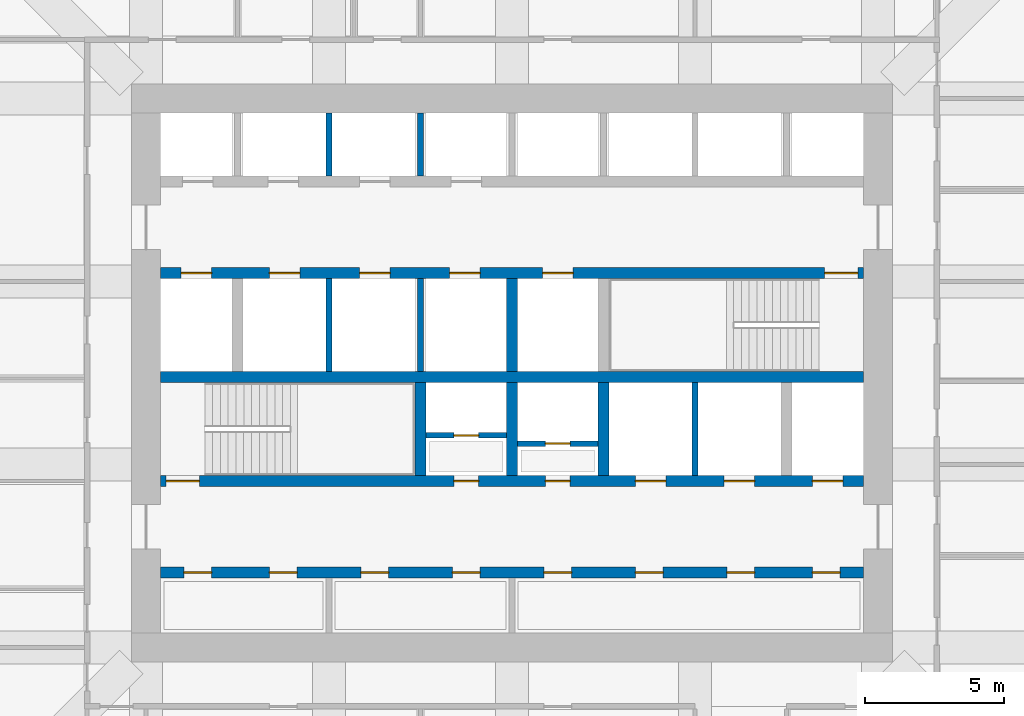
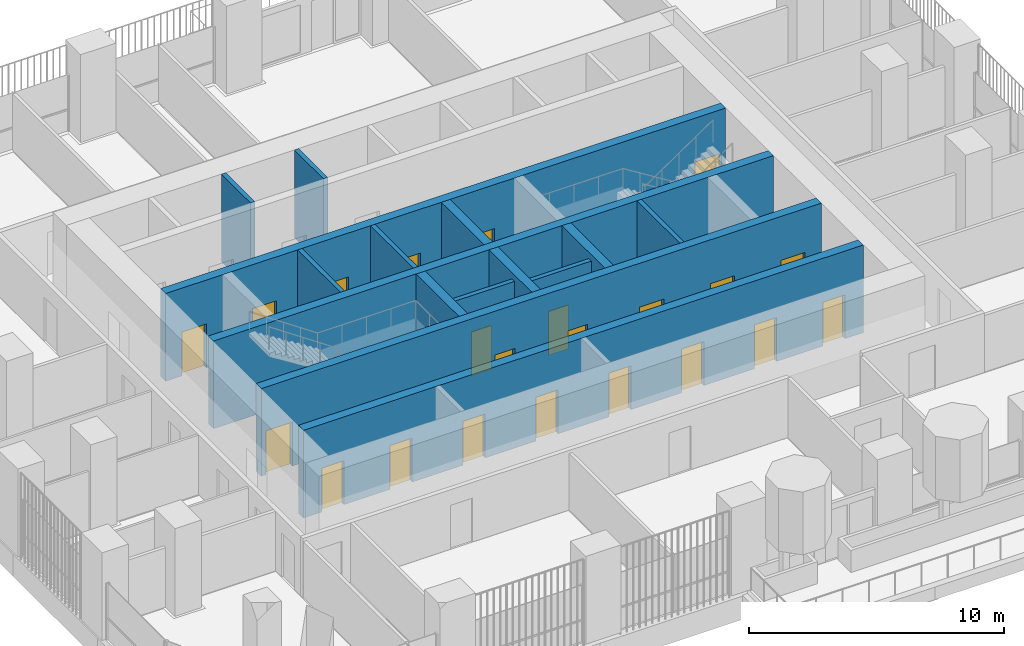
# One storey, part 14 of 20: 22 doors, 15 walls, 22 openings.
"""IFC4 building model written with IfcOpenShell, lengths in metres."""

from ifc_helpers import new_model, si_unit, direction, frame, frame_2d, origin, place, context, subcontext, project, spatial, rectangle, extrude, material, layer, layer_set, type_object, element, fill, save


model = new_model("IFC4")

# Units and contexts
model_context = context("Model", 3, precision=1e-05, world=origin(), true_north=direction((0.0, 1.0)))
body_context = subcontext(model_context, "Body", "Model", "MODEL_VIEW")
ifc_project = project(units=[si_unit("LENGTHUNIT", "METRE"), si_unit("AREAUNIT", "SQUARE_METRE"), si_unit("VOLUMEUNIT", "CUBIC_METRE"), si_unit("PLANEANGLEUNIT", "RADIAN"), si_unit("MASSUNIT", "GRAM", prefix="KILO")], contexts=[model_context])

# Site, building, storey
site_placement = place(None, origin())
site = spatial("IfcSite", under=ifc_project, at=site_placement, CompositionType="ELEMENT")
building_placement = place(site_placement, origin())
building = spatial("IfcBuilding", under=site, at=building_placement, Name="Cobogo Forest Laboratory Tower", CompositionType="ELEMENT")
storey_placement = place(building_placement, frame((0.0, 0.0, 180.89990234375)))
storey = spatial("IfcBuildingStorey", under=building, at=storey_placement, Name="L41", CompositionType="ELEMENT", Elevation=180.89990234375)

# Wall, openings, doors
ifc_material_1 = material(Name="Concrete HA-50 (C50/60)", Category="concrete")
ifc_layer_1 = layer(ifc_material_1, 0.39990234375)
ifc_layer_set_1 = layer_set([ifc_layer_1], Name="CI400 core inner wall 400")
wall_type_1 = type_object("IfcWallType", Name="CI400 core inner wall 400", PredefinedType="SHEAR", material=ifc_layer_set_1)
wall_1_placement = place(storey_placement, frame((13.72509765625, 15.89990234375, 0.0), z_axis=(0.0, 0.0, 1.0), x_axis=(1.0, 0.0, 0.0)))
wall_1 = element("IfcWall", 1, at=wall_1_placement, inside=storey, type_object=wall_type_1, Name="Core wall CI-15.9 L41", PredefinedType="SHEAR", context=body_context, shape_type="SweptSolid", body=[
    extrude(rectangle(XDim=25.349853515625, YDim=0.39990234375, at=frame_2d((12.6748046875, 0.0))), origin(), (0.0, 0.0, 1.0), 4.2001953125),
])
opening_1_placement = place(wall_1_placement, frame((0.83740234375, 0.0, 0.0)))
opening_1 = element("IfcOpeningElement", 2, at=opening_1_placement, cuts=wall_1, Name="Opening L41-D10", PredefinedType="OPENING", context=body_context, shape_type="SweptSolid", body=[
    extrude(rectangle(XDim=1.0, YDim=2.10009765625, at=frame_2d((0.5, 1.050048828125))), frame((0.0, 0.2099609375, 0.0), z_axis=(0.0, -1.0, 0.0), x_axis=(1.0, 0.0, 0.0)), (0.0, 0.0, 1.0), 0.419921875),
])
opening_2_placement = place(wall_1_placement, frame((3.925048828125, 0.0, 0.0)))
opening_2 = element("IfcOpeningElement", 3, at=opening_2_placement, cuts=wall_1, Name="Opening L41-D11", PredefinedType="OPENING", context=body_context, shape_type="SweptSolid", body=[
    extrude(rectangle(XDim=1.0, YDim=2.10009765625, at=frame_2d((0.5, 1.050048828125))), frame((0.0, 0.2099609375, 0.0), z_axis=(0.0, -1.0, 0.0), x_axis=(1.0, 0.0, 0.0)), (0.0, 0.0, 1.0), 0.419921875),
])
opening_3_placement = place(wall_1_placement, frame((7.22509765625, 0.0, 0.0)))
opening_3 = element("IfcOpeningElement", 4, at=opening_3_placement, cuts=wall_1, Name="Opening L41-D12", PredefinedType="OPENING", context=body_context, shape_type="SweptSolid", body=[
    extrude(rectangle(XDim=1.0, YDim=2.10009765625, at=frame_2d((0.5, 1.050048828125))), frame((0.0, 0.2099609375, 0.0), z_axis=(0.0, -1.0, 0.0), x_axis=(1.0, 0.0, 0.0)), (0.0, 0.0, 1.0), 0.419921875),
])
opening_4_placement = place(wall_1_placement, frame((10.52490234375, 0.0, 0.0)))
opening_4 = element("IfcOpeningElement", 5, at=opening_4_placement, cuts=wall_1, Name="Opening L41-D13", PredefinedType="OPENING", context=body_context, shape_type="SweptSolid", body=[
    extrude(rectangle(XDim=1.0, YDim=2.10009765625, at=frame_2d((0.5, 1.050048828125))), frame((0.0, 0.2099609375, 0.0), z_axis=(0.0, -1.0, 0.0), x_axis=(1.0, 0.0, 0.0)), (0.0, 0.0, 1.0), 0.419921875),
])
opening_5_placement = place(wall_1_placement, frame((13.824951171875, 0.0, 0.0)))
opening_5 = element("IfcOpeningElement", 6, at=opening_5_placement, cuts=wall_1, Name="Opening L41-D14", PredefinedType="OPENING", context=body_context, shape_type="SweptSolid", body=[
    extrude(rectangle(XDim=1.0, YDim=2.10009765625, at=frame_2d((0.5, 1.050048828125))), frame((0.0, 0.2099609375, 0.0), z_axis=(0.0, -1.0, 0.0), x_axis=(1.0, 0.0, 0.0)), (0.0, 0.0, 1.0), 0.419921875),
])
opening_6_placement = place(wall_1_placement, frame((17.125, 0.0, 0.0)))
opening_6 = element("IfcOpeningElement", 7, at=opening_6_placement, cuts=wall_1, Name="Opening L41-D15", PredefinedType="OPENING", context=body_context, shape_type="SweptSolid", body=[
    extrude(rectangle(XDim=1.0, YDim=2.10009765625, at=frame_2d((0.5, 1.050048828125))), frame((0.0, 0.2099609375, 0.0), z_axis=(0.0, -1.0, 0.0), x_axis=(1.0, 0.0, 0.0)), (0.0, 0.0, 1.0), 0.419921875),
])
opening_7_placement = place(wall_1_placement, frame((20.425048828125, 0.0, 0.0)))
opening_7 = element("IfcOpeningElement", 8, at=opening_7_placement, cuts=wall_1, Name="Opening L41-D16", PredefinedType="OPENING", context=body_context, shape_type="SweptSolid", body=[
    extrude(rectangle(XDim=1.0, YDim=2.10009765625, at=frame_2d((0.5, 1.050048828125))), frame((0.0, 0.2099609375, 0.0), z_axis=(0.0, -1.0, 0.0), x_axis=(1.0, 0.0, 0.0)), (0.0, 0.0, 1.0), 0.419921875),
])
opening_8_placement = place(wall_1_placement, frame((23.512451171875, 0.0, 0.0)))
opening_8 = element("IfcOpeningElement", 9, at=opening_8_placement, cuts=wall_1, Name="Opening L41-D17", PredefinedType="OPENING", context=body_context, shape_type="SweptSolid", body=[
    extrude(rectangle(XDim=1.0, YDim=2.10009765625, at=frame_2d((0.5, 1.050048828125))), frame((0.0, 0.2099609375, 0.0), z_axis=(0.0, -1.0, 0.0), x_axis=(1.0, 0.0, 0.0)), (0.0, 0.0, 1.0), 0.419921875),
])
ifc_material_2 = material(Name="Steel fire door", Category="steel")
door_type_1 = type_object("IfcDoorType", Name="FD1 fire door 1000 EI2 60", OperationType="SINGLE_SWING_LEFT", PredefinedType="DOOR", material=ifc_material_2)
door_1_placement = place(opening_1_placement, origin())
door_1 = element("IfcDoor", 10, at=door_1_placement, inside=storey, type_object=door_type_1, Name="Door L41-SH-LA1", OperationType="SINGLE_SWING_LEFT", OverallHeight=2.10009765625, OverallWidth=1.0, PredefinedType="DOOR", context=body_context, shape_type="SweptSolid", body=[
    extrude(rectangle(XDim=1.0, YDim=2.10009765625, at=frame_2d((0.5, 1.050048828125))), frame((0.0, 0.02490234375, 0.0), z_axis=(0.0, -1.0, 0.0), x_axis=(1.0, 0.0, 0.0)), (0.0, 0.0, 1.0), 0.050048828125),
])
fill(opening_1, door_1)
door_2_placement = place(opening_2_placement, origin())
door_2 = element("IfcDoor", 11, at=door_2_placement, inside=storey, type_object=door_type_1, Name="Door L41-SH-LA2", OperationType="SINGLE_SWING_LEFT", OverallHeight=2.10009765625, OverallWidth=1.0, PredefinedType="DOOR", context=body_context, shape_type="SweptSolid", body=[
    extrude(rectangle(XDim=1.0, YDim=2.10009765625, at=frame_2d((0.5, 1.050048828125))), frame((0.0, 0.02490234375, 0.0), z_axis=(0.0, -1.0, 0.0), x_axis=(1.0, 0.0, 0.0)), (0.0, 0.0, 1.0), 0.050048828125),
])
fill(opening_2, door_2)
door_3_placement = place(opening_3_placement, origin())
door_3 = element("IfcDoor", 12, at=door_3_placement, inside=storey, type_object=door_type_1, Name="Door L41-SH-LA3", OperationType="SINGLE_SWING_LEFT", OverallHeight=2.10009765625, OverallWidth=1.0, PredefinedType="DOOR", context=body_context, shape_type="SweptSolid", body=[
    extrude(rectangle(XDim=1.0, YDim=2.10009765625, at=frame_2d((0.5, 1.050048828125))), frame((0.0, 0.02490234375, 0.0), z_axis=(0.0, -1.0, 0.0), x_axis=(1.0, 0.0, 0.0)), (0.0, 0.0, 1.0), 0.050048828125),
])
fill(opening_3, door_3)
door_4_placement = place(opening_4_placement, origin())
door_4 = element("IfcDoor", 13, at=door_4_placement, inside=storey, type_object=door_type_1, Name="Door L41-SH-LA4", OperationType="SINGLE_SWING_LEFT", OverallHeight=2.10009765625, OverallWidth=1.0, PredefinedType="DOOR", context=body_context, shape_type="SweptSolid", body=[
    extrude(rectangle(XDim=1.0, YDim=2.10009765625, at=frame_2d((0.5, 1.050048828125))), frame((0.0, 0.02490234375, 0.0), z_axis=(0.0, -1.0, 0.0), x_axis=(1.0, 0.0, 0.0)), (0.0, 0.0, 1.0), 0.050048828125),
])
fill(opening_4, door_4)
door_5_placement = place(opening_5_placement, origin())
door_5 = element("IfcDoor", 14, at=door_5_placement, inside=storey, type_object=door_type_1, Name="Door L41-SH-LB1", OperationType="SINGLE_SWING_RIGHT", OverallHeight=2.10009765625, OverallWidth=1.0, PredefinedType="DOOR", context=body_context, shape_type="SweptSolid", body=[
    extrude(rectangle(XDim=1.0, YDim=2.10009765625, at=frame_2d((0.5, 1.050048828125))), frame((0.0, 0.02490234375, 0.0), z_axis=(0.0, -1.0, 0.0), x_axis=(1.0, 0.0, 0.0)), (0.0, 0.0, 1.0), 0.050048828125),
])
fill(opening_5, door_5)
door_6_placement = place(opening_6_placement, origin())
door_6 = element("IfcDoor", 15, at=door_6_placement, inside=storey, type_object=door_type_1, Name="Door L41-SH-LB2", OperationType="SINGLE_SWING_RIGHT", OverallHeight=2.10009765625, OverallWidth=1.0, PredefinedType="DOOR", context=body_context, shape_type="SweptSolid", body=[
    extrude(rectangle(XDim=1.0, YDim=2.10009765625, at=frame_2d((0.5, 1.050048828125))), frame((0.0, 0.02490234375, 0.0), z_axis=(0.0, -1.0, 0.0), x_axis=(1.0, 0.0, 0.0)), (0.0, 0.0, 1.0), 0.050048828125),
])
fill(opening_6, door_6)
door_7_placement = place(opening_7_placement, origin())
door_7 = element("IfcDoor", 16, at=door_7_placement, inside=storey, type_object=door_type_1, Name="Door L41-SH-LB3", OperationType="SINGLE_SWING_RIGHT", OverallHeight=2.10009765625, OverallWidth=1.0, PredefinedType="DOOR", context=body_context, shape_type="SweptSolid", body=[
    extrude(rectangle(XDim=1.0, YDim=2.10009765625, at=frame_2d((0.5, 1.050048828125))), frame((0.0, 0.02490234375, 0.0), z_axis=(0.0, -1.0, 0.0), x_axis=(1.0, 0.0, 0.0)), (0.0, 0.0, 1.0), 0.050048828125),
])
fill(opening_7, door_7)
door_8_placement = place(opening_8_placement, origin())
door_8 = element("IfcDoor", 17, at=door_8_placement, inside=storey, type_object=door_type_1, Name="Door L41-SH-LB4", OperationType="SINGLE_SWING_RIGHT", OverallHeight=2.10009765625, OverallWidth=1.0, PredefinedType="DOOR", context=body_context, shape_type="SweptSolid", body=[
    extrude(rectangle(XDim=1.0, YDim=2.10009765625, at=frame_2d((0.5, 1.050048828125))), frame((0.0, 0.02490234375, 0.0), z_axis=(0.0, -1.0, 0.0), x_axis=(1.0, 0.0, 0.0)), (0.0, 0.0, 1.0), 0.050048828125),
])
fill(opening_8, door_8)

wall_2_placement = place(storey_placement, frame((13.72509765625, 19.199951171875, 0.0), z_axis=(0.0, 0.0, 1.0), x_axis=(1.0, 0.0, 0.0)))
wall_2 = element("IfcWall", 18, at=wall_2_placement, inside=storey, type_object=wall_type_1, Name="Core wall CI-19.2 L41", PredefinedType="SHEAR", context=body_context, shape_type="SweptSolid", body=[
    extrude(rectangle(XDim=25.349853515625, YDim=0.39990234375, at=frame_2d((12.6748046875, 0.0))), origin(), (0.0, 0.0, 1.0), 4.2001953125),
])
opening_9_placement = place(wall_2_placement, frame((10.574951171875, 0.0, 0.0)))
opening_9 = element("IfcOpeningElement", 19, at=opening_9_placement, cuts=wall_2, Name="Opening L41-D23", PredefinedType="OPENING", context=body_context, shape_type="SweptSolid", body=[
    extrude(rectangle(XDim=0.89990234375, YDim=2.10009765625, at=frame_2d((0.449951171875, 1.050048828125))), frame((0.0, 0.2099609375, 0.0), z_axis=(0.0, -1.0, 0.0), x_axis=(1.0, 0.0, 0.0)), (0.0, 0.0, 1.0), 0.419921875),
])
opening_10_placement = place(wall_2_placement, frame((13.875, 0.0, 0.0)))
opening_10 = element("IfcOpeningElement", 20, at=opening_10_placement, cuts=wall_2, Name="Opening L41-D24", PredefinedType="OPENING", context=body_context, shape_type="SweptSolid", body=[
    extrude(rectangle(XDim=0.89990234375, YDim=2.10009765625, at=frame_2d((0.449951171875, 1.050048828125))), frame((0.0, 0.2099609375, 0.0), z_axis=(0.0, -1.0, 0.0), x_axis=(1.0, 0.0, 0.0)), (0.0, 0.0, 1.0), 0.419921875),
])
opening_11_placement = place(wall_2_placement, frame((0.199951171875, 0.0, 0.0)))
opening_11 = element("IfcOpeningElement", 21, at=opening_11_placement, cuts=wall_2, Name="Opening L41-D22", PredefinedType="OPENING", context=body_context, shape_type="SweptSolid", body=[
    extrude(rectangle(XDim=1.199951171875, YDim=2.10009765625, at=frame_2d((0.60009765625, 1.050048828125))), frame((0.0, 0.2099609375, 0.0), z_axis=(0.0, -1.0, 0.0), x_axis=(1.0, 0.0, 0.0)), (0.0, 0.0, 1.0), 0.419921875),
])
opening_12_placement = place(wall_2_placement, frame((23.512451171875, 0.0, 0.0)))
opening_12 = element("IfcOpeningElement", 22, at=opening_12_placement, cuts=wall_2, Name="Opening L41-LD-FL2", PredefinedType="OPENING", context=body_context, shape_type="SweptSolid", body=[
    extrude(rectangle(XDim=1.10009765625, YDim=2.10009765625, at=frame_2d((0.550048828125, 1.050048828125))), frame((0.0, 0.2099609375, 0.0), z_axis=(0.0, -1.0, 0.0), x_axis=(1.0, 0.0, 0.0)), (0.0, 0.0, 1.0), 0.419921875),
])
opening_13_placement = place(wall_2_placement, frame((17.125, 0.0, 0.0)))
opening_13 = element("IfcOpeningElement", 23, at=opening_13_placement, cuts=wall_2, Name="Opening L41-LD-LS1", PredefinedType="OPENING", context=body_context, shape_type="SweptSolid", body=[
    extrude(rectangle(XDim=1.10009765625, YDim=2.10009765625, at=frame_2d((0.550048828125, 1.050048828125))), frame((0.0, 0.2099609375, 0.0), z_axis=(0.0, -1.0, 0.0), x_axis=(1.0, 0.0, 0.0)), (0.0, 0.0, 1.0), 0.419921875),
])
opening_14_placement = place(wall_2_placement, frame((20.324951171875, 0.0, 0.0)))
opening_14 = element("IfcOpeningElement", 24, at=opening_14_placement, cuts=wall_2, Name="Opening L41-LD-LS2", PredefinedType="OPENING", context=body_context, shape_type="SweptSolid", body=[
    extrude(rectangle(XDim=1.10009765625, YDim=2.10009765625, at=frame_2d((0.550048828125, 1.050048828125))), frame((0.0, 0.2099609375, 0.0), z_axis=(0.0, -1.0, 0.0), x_axis=(1.0, 0.0, 0.0)), (0.0, 0.0, 1.0), 0.419921875),
])
door_type_2 = type_object("IfcDoorType", Name="DS1 protected stair door 1200 EI2 60", OperationType="SINGLE_SWING_LEFT", PredefinedType="DOOR", material=ifc_material_2)
door_9_placement = place(opening_11_placement, origin())
door_9 = element("IfcDoor", 25, at=door_9_placement, inside=storey, type_object=door_type_2, Name="Door L41-ST1", OperationType="SINGLE_SWING_LEFT", OverallHeight=2.10009765625, OverallWidth=1.199951171875, PredefinedType="DOOR", context=body_context, shape_type="SweptSolid", body=[
    extrude(rectangle(XDim=1.199951171875, YDim=2.10009765625, at=frame_2d((0.60009765625, 1.050048828125))), frame((0.0, 0.02490234375, 0.0), z_axis=(0.0, -1.0, 0.0), x_axis=(1.0, 0.0, 0.0)), (0.0, 0.0, 1.0), 0.050048828125),
])
fill(opening_11, door_9)
door_type_3 = type_object("IfcDoorType", Name="FD4 riser access door 900 EI2 60", OperationType="SINGLE_SWING_LEFT", PredefinedType="DOOR", material=ifc_material_2)
door_10_placement = place(opening_9_placement, origin())
door_10 = element("IfcDoor", 26, at=door_10_placement, inside=storey, type_object=door_type_3, Name="Door L41-R1V", OperationType="SINGLE_SWING_LEFT", OverallHeight=2.10009765625, OverallWidth=0.89990234375, PredefinedType="DOOR", context=body_context, shape_type="SweptSolid", body=[
    extrude(rectangle(XDim=0.89990234375, YDim=2.10009765625, at=frame_2d((0.449951171875, 1.050048828125))), frame((0.0, 0.02490234375, 0.0), z_axis=(0.0, -1.0, 0.0), x_axis=(1.0, 0.0, 0.0)), (0.0, 0.0, 1.0), 0.050048828125),
])
fill(opening_9, door_10)
door_11_placement = place(opening_10_placement, origin())
door_11 = element("IfcDoor", 27, at=door_11_placement, inside=storey, type_object=door_type_3, Name="Door L41-R2V", OperationType="SINGLE_SWING_RIGHT", OverallHeight=2.10009765625, OverallWidth=0.89990234375, PredefinedType="DOOR", context=body_context, shape_type="SweptSolid", body=[
    extrude(rectangle(XDim=0.89990234375, YDim=2.10009765625, at=frame_2d((0.449951171875, 1.050048828125))), frame((0.0, 0.02490234375, 0.0), z_axis=(0.0, -1.0, 0.0), x_axis=(1.0, 0.0, 0.0)), (0.0, 0.0, 1.0), 0.050048828125),
])
fill(opening_10, door_11)
ifc_material_3 = material(Name="Stainless steel lift door", Category="steel")
door_type_4 = type_object("IfcDoorType", Name="LD lift landing door 1100", OperationType="DOUBLE_DOOR_SLIDING", PredefinedType="DOOR", material=ifc_material_3)
door_12_placement = place(opening_12_placement, origin())
door_12 = element("IfcDoor", 28, at=door_12_placement, inside=storey, type_object=door_type_4, Name="Lift landing door FL2 L41", OperationType="DOUBLE_DOOR_SLIDING", OverallHeight=2.10009765625, OverallWidth=1.10009765625, PredefinedType="DOOR", context=body_context, shape_type="SweptSolid", body=[
    extrude(rectangle(XDim=1.10009765625, YDim=2.10009765625, at=frame_2d((0.550048828125, 1.050048828125))), frame((0.0, 0.02490234375, 0.0), z_axis=(0.0, -1.0, 0.0), x_axis=(1.0, 0.0, 0.0)), (0.0, 0.0, 1.0), 0.050048828125),
])
fill(opening_12, door_12)
door_13_placement = place(opening_13_placement, origin())
door_13 = element("IfcDoor", 29, at=door_13_placement, inside=storey, type_object=door_type_4, Name="Lift landing door LS1 L41", OperationType="DOUBLE_DOOR_SLIDING", OverallHeight=2.10009765625, OverallWidth=1.10009765625, PredefinedType="DOOR", context=body_context, shape_type="SweptSolid", body=[
    extrude(rectangle(XDim=1.10009765625, YDim=2.10009765625, at=frame_2d((0.550048828125, 1.050048828125))), frame((0.0, 0.02490234375, 0.0), z_axis=(0.0, -1.0, 0.0), x_axis=(1.0, 0.0, 0.0)), (0.0, 0.0, 1.0), 0.050048828125),
])
fill(opening_13, door_13)
door_14_placement = place(opening_14_placement, origin())
door_14 = element("IfcDoor", 30, at=door_14_placement, inside=storey, type_object=door_type_4, Name="Lift landing door LS2 L41", OperationType="DOUBLE_DOOR_SLIDING", OverallHeight=2.10009765625, OverallWidth=1.10009765625, PredefinedType="DOOR", context=body_context, shape_type="SweptSolid", body=[
    extrude(rectangle(XDim=1.10009765625, YDim=2.10009765625, at=frame_2d((0.550048828125, 1.050048828125))), frame((0.0, 0.02490234375, 0.0), z_axis=(0.0, -1.0, 0.0), x_axis=(1.0, 0.0, 0.0)), (0.0, 0.0, 1.0), 0.050048828125),
])
fill(opening_14, door_14)

# Wall
wall_3_placement = place(storey_placement, frame((13.72509765625, 22.949951171875, 0.0), z_axis=(0.0, 0.0, 1.0), x_axis=(1.0, 0.0, 0.0)))
element("IfcWall", 31, at=wall_3_placement, inside=storey, type_object=wall_type_1, Name="Core wall CI-22.95 L41", PredefinedType="SHEAR", context=body_context, shape_type="SweptSolid", body=[
    extrude(rectangle(XDim=25.349853515625, YDim=0.39990234375, at=frame_2d((12.6748046875, 0.0))), origin(), (0.0, 0.0, 1.0), 4.2001953125),
])

# Wall, openings, doors
wall_4_placement = place(storey_placement, frame((13.72509765625, 26.699951171875, 0.0), z_axis=(0.0, 0.0, 1.0), x_axis=(1.0, 0.0, 0.0)))
wall_4 = element("IfcWall", 32, at=wall_4_placement, inside=storey, type_object=wall_type_1, Name="Core wall CI-26.7 L41", PredefinedType="SHEAR", context=body_context, shape_type="SweptSolid", body=[
    extrude(rectangle(XDim=25.349853515625, YDim=0.39990234375, at=frame_2d((12.6748046875, 0.0))), origin(), (0.0, 0.0, 1.0), 4.2001953125),
])
opening_15_placement = place(wall_4_placement, frame((23.949951171875, 0.0, 0.0)))
opening_15 = element("IfcOpeningElement", 33, at=opening_15_placement, cuts=wall_4, Name="Opening L41-D31", PredefinedType="OPENING", context=body_context, shape_type="SweptSolid", body=[
    extrude(rectangle(XDim=1.199951171875, YDim=2.10009765625, at=frame_2d((0.60009765625, 1.050048828125))), frame((0.0, 0.2099609375, 0.0), z_axis=(0.0, -1.0, 0.0), x_axis=(1.0, 0.0, 0.0)), (0.0, 0.0, 1.0), 0.419921875),
])
opening_16_placement = place(wall_4_placement, frame((0.737548828125, 0.0, 0.0)))
opening_16 = element("IfcOpeningElement", 34, at=opening_16_placement, cuts=wall_4, Name="Opening L41-LD-FL1", PredefinedType="OPENING", context=body_context, shape_type="SweptSolid", body=[
    extrude(rectangle(XDim=1.10009765625, YDim=2.10009765625, at=frame_2d((0.550048828125, 1.050048828125))), frame((0.0, 0.2099609375, 0.0), z_axis=(0.0, -1.0, 0.0), x_axis=(1.0, 0.0, 0.0)), (0.0, 0.0, 1.0), 0.419921875),
])
opening_17_placement = place(wall_4_placement, frame((3.925048828125, 0.0, 0.0)))
opening_17 = element("IfcOpeningElement", 35, at=opening_17_placement, cuts=wall_4, Name="Opening L41-LD-LS3", PredefinedType="OPENING", context=body_context, shape_type="SweptSolid", body=[
    extrude(rectangle(XDim=1.10009765625, YDim=2.10009765625, at=frame_2d((0.550048828125, 1.050048828125))), frame((0.0, 0.2099609375, 0.0), z_axis=(0.0, -1.0, 0.0), x_axis=(1.0, 0.0, 0.0)), (0.0, 0.0, 1.0), 0.419921875),
])
opening_18_placement = place(wall_4_placement, frame((7.175048828125, 0.0, 0.0)))
opening_18 = element("IfcOpeningElement", 36, at=opening_18_placement, cuts=wall_4, Name="Opening L41-LD-LS4", PredefinedType="OPENING", context=body_context, shape_type="SweptSolid", body=[
    extrude(rectangle(XDim=1.10009765625, YDim=2.10009765625, at=frame_2d((0.550048828125, 1.050048828125))), frame((0.0, 0.2099609375, 0.0), z_axis=(0.0, -1.0, 0.0), x_axis=(1.0, 0.0, 0.0)), (0.0, 0.0, 1.0), 0.419921875),
])
opening_19_placement = place(wall_4_placement, frame((10.425048828125, 0.0, 0.0)))
opening_19 = element("IfcOpeningElement", 37, at=opening_19_placement, cuts=wall_4, Name="Opening L41-LD-LS5", PredefinedType="OPENING", context=body_context, shape_type="SweptSolid", body=[
    extrude(rectangle(XDim=1.10009765625, YDim=2.10009765625, at=frame_2d((0.550048828125, 1.050048828125))), frame((0.0, 0.2099609375, 0.0), z_axis=(0.0, -1.0, 0.0), x_axis=(1.0, 0.0, 0.0)), (0.0, 0.0, 1.0), 0.419921875),
])
opening_20_placement = place(wall_4_placement, frame((13.77490234375, 0.0, 0.0)))
opening_20 = element("IfcOpeningElement", 38, at=opening_20_placement, cuts=wall_4, Name="Opening L41-LD-LS6", PredefinedType="OPENING", context=body_context, shape_type="SweptSolid", body=[
    extrude(rectangle(XDim=1.10009765625, YDim=2.10009765625, at=frame_2d((0.550048828125, 1.050048828125))), frame((0.0, 0.2099609375, 0.0), z_axis=(0.0, -1.0, 0.0), x_axis=(1.0, 0.0, 0.0)), (0.0, 0.0, 1.0), 0.419921875),
])
door_15_placement = place(opening_15_placement, origin())
door_15 = element("IfcDoor", 39, at=door_15_placement, inside=storey, type_object=door_type_2, Name="Door L41-ST2", OperationType="SINGLE_SWING_RIGHT", OverallHeight=2.10009765625, OverallWidth=1.199951171875, PredefinedType="DOOR", context=body_context, shape_type="SweptSolid", body=[
    extrude(rectangle(XDim=1.199951171875, YDim=2.10009765625, at=frame_2d((0.60009765625, 1.050048828125))), frame((0.0, 0.02490234375, 0.0), z_axis=(0.0, -1.0, 0.0), x_axis=(1.0, 0.0, 0.0)), (0.0, 0.0, 1.0), 0.050048828125),
])
fill(opening_15, door_15)
door_16_placement = place(opening_16_placement, origin())
door_16 = element("IfcDoor", 40, at=door_16_placement, inside=storey, type_object=door_type_4, Name="Lift landing door FL1 L41", OperationType="DOUBLE_DOOR_SLIDING", OverallHeight=2.10009765625, OverallWidth=1.10009765625, PredefinedType="DOOR", context=body_context, shape_type="SweptSolid", body=[
    extrude(rectangle(XDim=1.10009765625, YDim=2.10009765625, at=frame_2d((0.550048828125, 1.050048828125))), frame((0.0, 0.02490234375, 0.0), z_axis=(0.0, -1.0, 0.0), x_axis=(1.0, 0.0, 0.0)), (0.0, 0.0, 1.0), 0.050048828125),
])
fill(opening_16, door_16)
door_17_placement = place(opening_17_placement, origin())
door_17 = element("IfcDoor", 41, at=door_17_placement, inside=storey, type_object=door_type_4, Name="Lift landing door LS3 L41", OperationType="DOUBLE_DOOR_SLIDING", OverallHeight=2.10009765625, OverallWidth=1.10009765625, PredefinedType="DOOR", context=body_context, shape_type="SweptSolid", body=[
    extrude(rectangle(XDim=1.10009765625, YDim=2.10009765625, at=frame_2d((0.550048828125, 1.050048828125))), frame((0.0, 0.02490234375, 0.0), z_axis=(0.0, -1.0, 0.0), x_axis=(1.0, 0.0, 0.0)), (0.0, 0.0, 1.0), 0.050048828125),
])
fill(opening_17, door_17)
door_18_placement = place(opening_18_placement, origin())
door_18 = element("IfcDoor", 42, at=door_18_placement, inside=storey, type_object=door_type_4, Name="Lift landing door LS4 L41", OperationType="DOUBLE_DOOR_SLIDING", OverallHeight=2.10009765625, OverallWidth=1.10009765625, PredefinedType="DOOR", context=body_context, shape_type="SweptSolid", body=[
    extrude(rectangle(XDim=1.10009765625, YDim=2.10009765625, at=frame_2d((0.550048828125, 1.050048828125))), frame((0.0, 0.02490234375, 0.0), z_axis=(0.0, -1.0, 0.0), x_axis=(1.0, 0.0, 0.0)), (0.0, 0.0, 1.0), 0.050048828125),
])
fill(opening_18, door_18)
door_19_placement = place(opening_19_placement, origin())
door_19 = element("IfcDoor", 43, at=door_19_placement, inside=storey, type_object=door_type_4, Name="Lift landing door LS5 L41", OperationType="DOUBLE_DOOR_SLIDING", OverallHeight=2.10009765625, OverallWidth=1.10009765625, PredefinedType="DOOR", context=body_context, shape_type="SweptSolid", body=[
    extrude(rectangle(XDim=1.10009765625, YDim=2.10009765625, at=frame_2d((0.550048828125, 1.050048828125))), frame((0.0, 0.02490234375, 0.0), z_axis=(0.0, -1.0, 0.0), x_axis=(1.0, 0.0, 0.0)), (0.0, 0.0, 1.0), 0.050048828125),
])
fill(opening_19, door_19)
door_20_placement = place(opening_20_placement, origin())
door_20 = element("IfcDoor", 44, at=door_20_placement, inside=storey, type_object=door_type_4, Name="Lift landing door LS6 L41", OperationType="DOUBLE_DOOR_SLIDING", OverallHeight=2.10009765625, OverallWidth=1.10009765625, PredefinedType="DOOR", context=body_context, shape_type="SweptSolid", body=[
    extrude(rectangle(XDim=1.10009765625, YDim=2.10009765625, at=frame_2d((0.550048828125, 1.050048828125))), frame((0.0, 0.02490234375, 0.0), z_axis=(0.0, -1.0, 0.0), x_axis=(1.0, 0.0, 0.0)), (0.0, 0.0, 1.0), 0.050048828125),
])
fill(opening_20, door_20)

# Walls
for number, where, z_axis, x_axis, name in (
    (45, (23.10009765625, 19.39990234375, 0.0), (0.0, 0.0, 1.0), (0.0, 1.0, 0.0), "Core wall CX-23.1 L41"),
    (46, (26.39990234375, 19.39990234375, 0.0), (0.0, 0.0, 1.0), (0.0, 1.0, 0.0), "Core wall CX-26.4S L41"),
    (47, (29.699951171875, 19.39990234375, 0.0), (0.0, 0.0, 1.0), (0.0, 1.0, 0.0), "Core wall CX-29.7S L41"),
    (48, (26.39990234375, 23.14990234375, 0.0), (0.0, 0.0, 1.0), (0.0, 1.0, 0.0), "Core wall CX-26.4N L41"),
):
    element("IfcWall", number, at=place(storey_placement, frame(where, z_axis=z_axis, x_axis=x_axis)), inside=storey, type_object=wall_type_1, Name=name, PredefinedType="SHEAR", context=body_context, shape_type="SweptSolid", body=[
        extrude(rectangle(XDim=3.35009765625, YDim=0.39990234375, at=frame_2d((1.675048828125, 0.0))), origin(), (0.0, 0.0, 1.0), 4.2001953125),
    ])

# Wall, opening, door
ifc_material_4 = material(Name="Gypsum board on steel studs", Category="steel")
ifc_layer_2 = layer(ifc_material_4, 0.199951171875)
ifc_layer_set_2 = layer_set([ifc_layer_2], Name="PT2 fire-rated corridor partition 200")
wall_type_2 = type_object("IfcWallType", Name="PT2 fire-rated corridor partition 200", PredefinedType="PARTITIONING", material=ifc_layer_set_2)
wall_5_placement = place(storey_placement, frame((23.300048828125, 20.85009765625, 0.0), z_axis=(0.0, 0.0, 1.0), x_axis=(1.0, 0.0, 0.0)))
wall_5 = element("IfcWall", 49, at=wall_5_placement, inside=storey, type_object=wall_type_2, Name="Partition RSPLIT-R1 L41", PredefinedType="PARTITIONING", context=body_context, shape_type="SweptSolid", body=[
    extrude(rectangle(XDim=2.89990234375, YDim=0.199951171875, at=frame_2d((1.449951171875, 0.0))), origin(), (0.0, 0.0, 1.0), 3.900146484375),
])
opening_21_placement = place(wall_5_placement, frame((1.0, 0.0, 0.0)))
opening_21 = element("IfcOpeningElement", 50, at=opening_21_placement, cuts=wall_5, Name="Opening L41-D26", PredefinedType="OPENING", context=body_context, shape_type="SweptSolid", body=[
    extrude(rectangle(XDim=0.89990234375, YDim=2.10009765625, at=frame_2d((0.449951171875, 1.050048828125))), frame((0.0, 0.10986328125, 0.0), z_axis=(0.0, -1.0, 0.0), x_axis=(1.0, 0.0, 0.0)), (0.0, 0.0, 1.0), 0.219970703125),
])
door_21_placement = place(opening_21_placement, origin())
door_21 = element("IfcDoor", 51, at=door_21_placement, inside=storey, type_object=door_type_3, Name="Door L41-R1", OperationType="SINGLE_SWING_LEFT", OverallHeight=2.10009765625, OverallWidth=0.89990234375, PredefinedType="DOOR", context=body_context, shape_type="SweptSolid", body=[
    extrude(rectangle(XDim=0.89990234375, YDim=2.10009765625, at=frame_2d((0.449951171875, 1.050048828125))), frame((0.0, 0.02490234375, 0.0), z_axis=(0.0, -1.0, 0.0), x_axis=(1.0, 0.0, 0.0)), (0.0, 0.0, 1.0), 0.050048828125),
])
fill(opening_21, door_21)

wall_6_placement = place(storey_placement, frame((26.60009765625, 20.550048828125, 0.0), z_axis=(0.0, 0.0, 1.0), x_axis=(1.0, 0.0, 0.0)))
wall_6 = element("IfcWall", 52, at=wall_6_placement, inside=storey, type_object=wall_type_2, Name="Partition RSPLIT-R2 L41", PredefinedType="PARTITIONING", context=body_context, shape_type="SweptSolid", body=[
    extrude(rectangle(XDim=2.89990234375, YDim=0.199951171875, at=frame_2d((1.449951171875, 0.0))), origin(), (0.0, 0.0, 1.0), 3.900146484375),
])
opening_22_placement = place(wall_6_placement, frame((1.0, 0.0, 0.0)))
opening_22 = element("IfcOpeningElement", 53, at=opening_22_placement, cuts=wall_6, Name="Opening L41-D25", PredefinedType="OPENING", context=body_context, shape_type="SweptSolid", body=[
    extrude(rectangle(XDim=0.89990234375, YDim=2.10009765625, at=frame_2d((0.449951171875, 1.050048828125))), frame((0.0, 0.10986328125, 0.0), z_axis=(0.0, -1.0, 0.0), x_axis=(1.0, 0.0, 0.0)), (0.0, 0.0, 1.0), 0.219970703125),
])
door_22_placement = place(opening_22_placement, origin())
door_22 = element("IfcDoor", 54, at=door_22_placement, inside=storey, type_object=door_type_3, Name="Door L41-R2", OperationType="SINGLE_SWING_LEFT", OverallHeight=2.10009765625, OverallWidth=0.89990234375, PredefinedType="DOOR", context=body_context, shape_type="SweptSolid", body=[
    extrude(rectangle(XDim=0.89990234375, YDim=2.10009765625, at=frame_2d((0.449951171875, 1.050048828125))), frame((0.0, 0.02490234375, 0.0), z_axis=(0.0, -1.0, 0.0), x_axis=(1.0, 0.0, 0.0)), (0.0, 0.0, 1.0), 0.050048828125),
])
fill(opening_22, door_22)

# Walls
ifc_material_5 = material(Name="Concrete block", Category="concrete")
ifc_layer_3 = layer(ifc_material_5, 0.199951171875)
ifc_layer_set_3 = layer_set([ifc_layer_3], Name="SW200 lift shaft separator 200")
wall_type_3 = type_object("IfcWallType", Name="SW200 lift shaft separator 200", PredefinedType="PARTITIONING", material=ifc_layer_set_3)
for number, where, z_axis, x_axis, name in (
    (55, (19.800048828125, 30.199951171875, 0.0), (0.0, 0.0, 1.0), (0.0, 1.0, 0.0), "Core wall SEP-N2 L41"),
    (56, (23.10009765625, 30.199951171875, 0.0), (0.0, 0.0, 1.0), (0.0, 1.0, 0.0), "Core wall SEP-N3 L41"),
):
    element("IfcWall", number, at=place(storey_placement, frame(where, z_axis=z_axis, x_axis=x_axis)), inside=storey, type_object=wall_type_3, Name=name, PredefinedType="PARTITIONING", context=body_context, shape_type="SweptSolid", body=[
        extrude(rectangle(XDim=2.275146484375, YDim=0.199951171875, at=frame_2d((1.1376953125, 0.0))), origin(), (0.0, 0.0, 1.0), 4.2001953125),
    ])
for number, where, z_axis, x_axis, name in (
    (57, (33.0, 19.39990234375, 0.0), (0.0, 0.0, 1.0), (0.0, 1.0, 0.0), "Core wall SEP-M33.0 L41"),
    (58, (19.800048828125, 23.14990234375, 0.0), (0.0, 0.0, 1.0), (0.0, 1.0, 0.0), "Core wall SEP-M19.8 L41"),
    (59, (23.10009765625, 23.14990234375, 0.0), (0.0, 0.0, 1.0), (0.0, 1.0, 0.0), "Core wall SEP-M23.1 L41"),
):
    element("IfcWall", number, at=place(storey_placement, frame(where, z_axis=z_axis, x_axis=x_axis)), inside=storey, type_object=wall_type_3, Name=name, PredefinedType="PARTITIONING", context=body_context, shape_type="SweptSolid", body=[
        extrude(rectangle(XDim=3.35009765625, YDim=0.199951171875, at=frame_2d((1.675048828125, 0.0))), origin(), (0.0, 0.0, 1.0), 4.2001953125),
    ])

save(model, "model.ifc")
